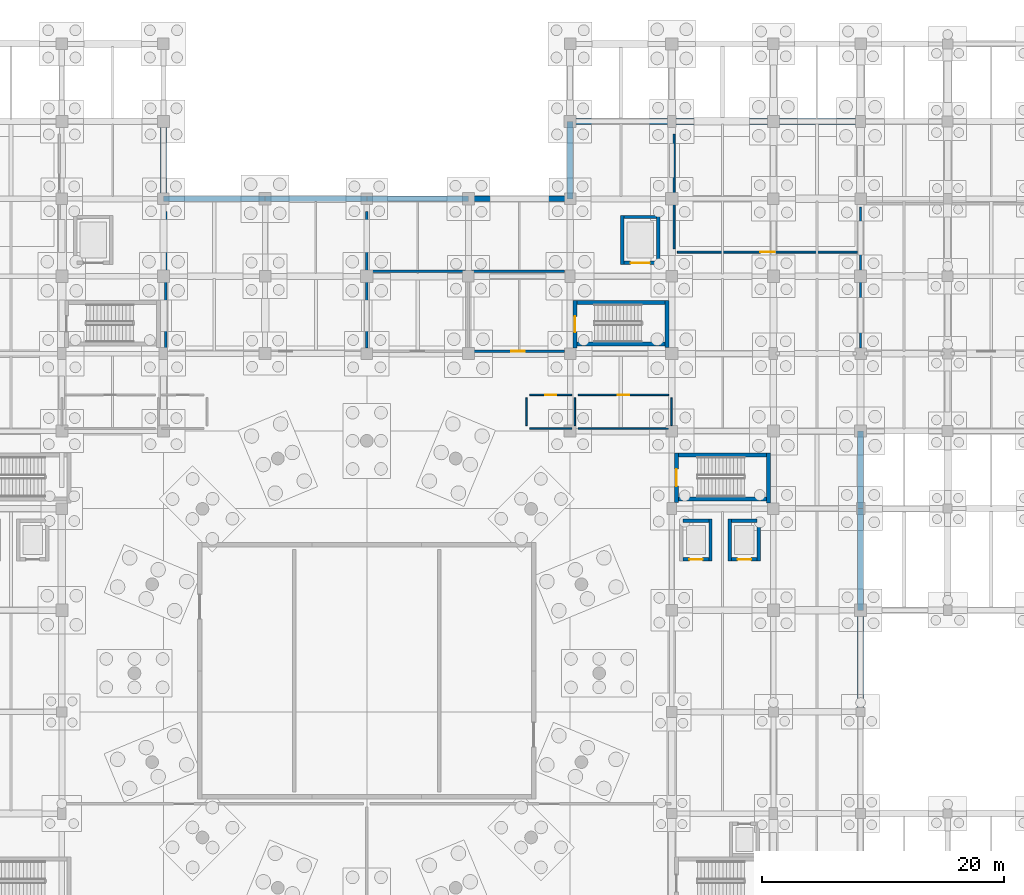
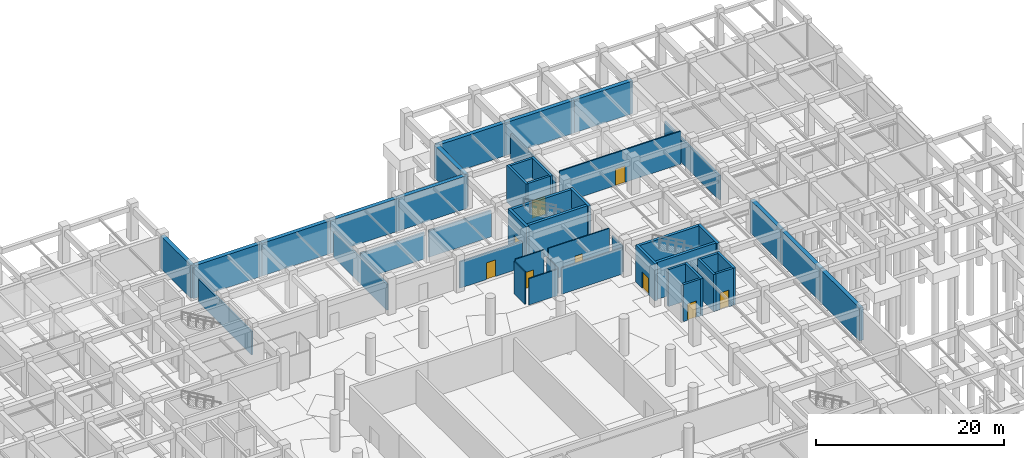
# One storey, part 34 of 44: 46 walls, 9 doors, 9 openings.
"""IFC4 building model written with IfcOpenShell, lengths in metres."""

from ifc_helpers import new_model, si_unit, direction, frame, frame_2d, origin, place, context, subcontext, project, spatial, rectangle, extrude, material, layer, layer_set, type_object, element, fill, save


model = new_model("IFC4")

# Units and contexts
model_context = context("Model", 3, precision=1e-05, world=origin(), true_north=direction((0.0, 1.0)))
body_context = subcontext(model_context, "Body", "Model", "MODEL_VIEW")
ifc_project = project(units=[si_unit("LENGTHUNIT", "METRE"), si_unit("AREAUNIT", "SQUARE_METRE"), si_unit("VOLUMEUNIT", "CUBIC_METRE"), si_unit("PLANEANGLEUNIT", "RADIAN"), si_unit("MASSUNIT", "GRAM", prefix="KILO")], contexts=[model_context])

# Site, building, storey
site_placement = place(None, origin())
site = spatial("IfcSite", under=ifc_project, at=site_placement, CompositionType="ELEMENT")
building_placement = place(site_placement, origin())
building = spatial("IfcBuilding", under=site, at=building_placement, Name="Korsvaeld Concert Hall", CompositionType="ELEMENT")
storey_placement = place(building_placement, frame((0.0, 0.0, -4.800048828125)))
storey = spatial("IfcBuildingStorey", under=building, at=storey_placement, Name="B1", CompositionType="ELEMENT", Elevation=-4.800048828125)

# Walls
ifc_material_1 = material(Name="Concrete C35/45", Category="concrete")
ifc_layer_1 = layer(ifc_material_1, 0.47998046875)
ifc_layer_set_1 = layer_set([ifc_layer_1], Name="Concrete C35/45")
wall_type_1 = type_object("IfcWallType", Name="WL-B1-RET-480", PredefinedType="SOLIDWALL", material=ifc_layer_set_1)
wall_1_placement = place(storey_placement, frame((67.199951171875, 108.800048828125, 0.0), z_axis=(0.0, 0.0, 1.0), x_axis=(0.0, -1.0, 0.0)))
element("IfcWall", 1, at=wall_1_placement, inside=storey, type_object=wall_type_1, Name="Exterior sandstone wall B1-029", PredefinedType="SOLIDWALL", context=body_context, shape_type="SweptSolid", body=[
    extrude(rectangle(XDim=6.400146484375, YDim=0.47998046875, at=frame_2d((3.2001953125, 0.0))), origin(), (0.0, 0.0, 1.0), 4.25),
])
wall_2_placement = place(storey_placement, frame((67.199951171875, 102.39990234375, 0.0), z_axis=(0.0, 0.0, 1.0), x_axis=(1.0, 0.0, 0.0)))
element("IfcWall", 2, at=wall_2_placement, inside=storey, type_object=wall_type_1, Name="Exterior sandstone wall B1-030", PredefinedType="SOLIDWALL", context=body_context, shape_type="SweptSolid", body=[
    extrude(rectangle(XDim=8.400146484375, YDim=0.47998046875, at=frame_2d((4.2001953125, 0.0))), origin(), (0.0, 0.0, 1.0), 4.25),
])
for number, where, z_axis, x_axis, name in (
    (3, (75.60009765625, 102.39990234375, 0.0), (0.0, 0.0, 1.0), (1.0, 0.0, 0.0), "Exterior sandstone wall B1-031"),
    (4, (84.0, 102.39990234375, 0.0), (0.0, 0.0, 1.0), (1.0, 0.0, 0.0), "Exterior sandstone wall B1-032"),
):
    element("IfcWall", number, at=place(storey_placement, frame(where, z_axis=z_axis, x_axis=x_axis)), inside=storey, type_object=wall_type_1, Name=name, PredefinedType="SOLIDWALL", context=body_context, shape_type="SweptSolid", body=[
        extrude(rectangle(XDim=8.39990234375, YDim=0.47998046875, at=frame_2d((4.199951171875, 0.0))), origin(), (0.0, 0.0, 1.0), 4.25),
    ])
wall_3_placement = place(storey_placement, frame((92.39990234375, 102.39990234375, 0.0), z_axis=(0.0, 0.0, 1.0), x_axis=(1.0, 0.0, 0.0)))
element("IfcWall", 5, at=wall_3_placement, inside=storey, type_object=wall_type_1, Name="Exterior sandstone wall B1-033", PredefinedType="SOLIDWALL", context=body_context, shape_type="SweptSolid", body=[
    extrude(rectangle(XDim=8.400146484375, YDim=0.47998046875, at=frame_2d((4.2001953125, 0.0))), origin(), (0.0, 0.0, 1.0), 4.25),
])
wall_4_placement = place(storey_placement, frame((100.800048828125, 102.39990234375, 0.0), z_axis=(0.0, 0.0, 1.0), x_axis=(0.0, 1.0, 0.0)))
element("IfcWall", 6, at=wall_4_placement, inside=storey, type_object=wall_type_1, Name="Exterior sandstone wall B1-034", PredefinedType="SOLIDWALL", context=body_context, shape_type="SweptSolid", body=[
    extrude(rectangle(XDim=6.400146484375, YDim=0.47998046875, at=frame_2d((3.2001953125, 0.0))), origin(), (0.0, 0.0, 1.0), 4.25),
])
wall_5_placement = place(storey_placement, frame((100.800048828125, 108.800048828125, 0.0), z_axis=(0.0, 0.0, 1.0), x_axis=(1.0, 0.0, 0.0)))
element("IfcWall", 7, at=wall_5_placement, inside=storey, type_object=wall_type_1, Name="Exterior sandstone wall B1-035", PredefinedType="SOLIDWALL", context=body_context, shape_type="SweptSolid", body=[
    extrude(rectangle(XDim=8.39990234375, YDim=0.47998046875, at=frame_2d((4.199951171875, 0.0))), origin(), (0.0, 0.0, 1.0), 4.25),
])
wall_6_placement = place(storey_placement, frame((109.199951171875, 108.800048828125, 0.0), z_axis=(0.0, 0.0, 1.0), x_axis=(1.0, 0.0, 0.0)))
element("IfcWall", 8, at=wall_6_placement, inside=storey, type_object=wall_type_1, Name="Exterior sandstone wall B1-036", PredefinedType="SOLIDWALL", context=body_context, shape_type="SweptSolid", body=[
    extrude(rectangle(XDim=8.400146484375, YDim=0.47998046875, at=frame_2d((4.2001953125, 0.0))), origin(), (0.0, 0.0, 1.0), 4.25),
])
wall_7_placement = place(storey_placement, frame((117.60009765625, 108.800048828125, 0.0), z_axis=(0.0, 0.0, 1.0), x_axis=(1.0, 0.0, 0.0)))
element("IfcWall", 9, at=wall_7_placement, inside=storey, type_object=wall_type_1, Name="Exterior sandstone wall B1-037", PredefinedType="SOLIDWALL", context=body_context, shape_type="SweptSolid", body=[
    extrude(rectangle(XDim=7.199951171875, YDim=0.47998046875, at=frame_2d((3.60009765625, 0.0))), origin(), (0.0, 0.0, 1.0), 4.25),
])
wall_8_placement = place(storey_placement, frame((124.800048828125, 83.199951171875, 0.0), z_axis=(0.0, 0.0, 1.0), x_axis=(0.0, -1.0, 0.0)))
element("IfcWall", 10, at=wall_8_placement, inside=storey, type_object=wall_type_1, Name="Exterior sandstone wall B1-048", PredefinedType="SOLIDWALL", context=body_context, shape_type="SweptSolid", body=[
    extrude(rectangle(XDim=6.39990234375, YDim=0.47998046875, at=frame_2d((3.199951171875, 0.0))), origin(), (0.0, 0.0, 1.0), 4.25),
])
wall_9_placement = place(storey_placement, frame((124.800048828125, 76.800048828125, 0.0), z_axis=(0.0, 0.0, 1.0), x_axis=(0.0, -1.0, 0.0)))
element("IfcWall", 11, at=wall_9_placement, inside=storey, type_object=wall_type_1, Name="Exterior sandstone wall B1-049", PredefinedType="SOLIDWALL", context=body_context, shape_type="SweptSolid", body=[
    extrude(rectangle(XDim=8.400146484375, YDim=0.47998046875, at=frame_2d((4.2001953125, 0.0))), origin(), (0.0, 0.0, 1.0), 4.25),
])
wall_10_placement = place(storey_placement, frame((124.800048828125, 68.39990234375, 0.0), z_axis=(0.0, 0.0, 1.0), x_axis=(0.0, -1.0, 0.0)))
element("IfcWall", 12, at=wall_10_placement, inside=storey, type_object=wall_type_1, Name="Exterior sandstone wall B1-050", PredefinedType="SOLIDWALL", context=body_context, shape_type="SweptSolid", body=[
    extrude(rectangle(XDim=8.39990234375, YDim=0.47998046875, at=frame_2d((4.199951171875, 0.0))), origin(), (0.0, 0.0, 1.0), 4.25),
])
ifc_material_2 = material(Name="Concrete C40/50", Category="concrete")
ifc_layer_2 = layer(ifc_material_2, 0.340087890625)
ifc_layer_set_2 = layer_set([ifc_layer_2], Name="Concrete C40/50")
wall_type_2 = type_object("IfcWallType", Name="WL-CORE-340", PredefinedType="SHEAR", material=ifc_layer_set_2)
wall_11_placement = place(storey_placement, frame((109.77001953125, 77.60009765625, 0.0), z_axis=(0.0, 0.0, 1.0), x_axis=(1.0, 0.0, 0.0)))
element("IfcWall", 13, at=wall_11_placement, inside=storey, type_object=wall_type_2, Name="Core K2 shear wall B1 S", PredefinedType="SHEAR", context=body_context, shape_type="SweptSolid", body=[
    extrude(rectangle(XDim=7.260009765625, YDim=0.340087890625, at=frame_2d((3.6298828125, 0.0))), origin(), (0.0, 0.0, 1.0), 4.800048828125),
])
wall_12_placement = place(storey_placement, frame((117.199951171875, 77.27490234375, 0.0), z_axis=(0.0, 0.0, 1.0), x_axis=(0.0, 1.0, 0.0)))
element("IfcWall", 14, at=wall_12_placement, inside=storey, type_object=wall_type_2, Name="Core K2 shear wall B1 E", PredefinedType="SHEAR", context=body_context, shape_type="SweptSolid", body=[
    extrude(rectangle(XDim=4.135009765625, YDim=0.340087890625, at=frame_2d((2.0673828125, 0.0))), origin(), (0.0, 0.0, 1.0), 4.800048828125),
])
wall_13_placement = place(storey_placement, frame((117.030029296875, 81.239990234375, 0.0), z_axis=(0.0, 0.0, 1.0), x_axis=(-1.0, 0.0, 0.0)))
element("IfcWall", 15, at=wall_13_placement, inside=storey, type_object=wall_type_2, Name="Core K2 shear wall B1 N", PredefinedType="SHEAR", context=body_context, shape_type="SweptSolid", body=[
    extrude(rectangle(XDim=7.260009765625, YDim=0.340087890625, at=frame_2d((3.6298828125, 0.0))), origin(), (0.0, 0.0, 1.0), 4.800048828125),
])

# Wall, opening, door
wall_14_placement = place(storey_placement, frame((109.60009765625, 81.409912109375, 0.0), z_axis=(0.0, 0.0, 1.0), x_axis=(0.0, -1.0, 0.0)))
wall_14 = element("IfcWall", 16, at=wall_14_placement, inside=storey, type_object=wall_type_2, Name="Core K2 shear wall B1 W", PredefinedType="SHEAR", context=body_context, shape_type="SweptSolid", body=[
    extrude(rectangle(XDim=4.10986328125, YDim=0.340087890625, at=frame_2d((2.054931640625, 0.0))), origin(), (0.0, 0.0, 1.0), 4.800048828125),
])
opening_1_placement = place(wall_14_placement, frame((1.35498046875, 0.0, 0.0)))
opening_1 = element("IfcOpeningElement", 17, at=opening_1_placement, cuts=wall_14, Name="Opening FD-02", PredefinedType="OPENING", context=body_context, shape_type="SweptSolid", body=[
    extrude(rectangle(XDim=1.39990234375, YDim=2.14990234375, at=frame_2d((0.699951171875, 1.074951171875))), frame((0.0, 0.18017578125, 0.0), z_axis=(0.0, -1.0, 0.0), x_axis=(1.0, 0.0, 0.0)), (0.0, 0.0, 1.0), 0.360107421875),
])
ifc_material_3 = material(Name="Acoustic steel and oak fire door", Category="steel")
door_type_1 = type_object("IfcDoorType", Name="DR-FD-STAIR-140x215", OperationType="NOTDEFINED", PredefinedType="DOOR", material=ifc_material_3)
door_1_placement = place(opening_1_placement, origin())
door_1 = element("IfcDoor", 18, at=door_1_placement, inside=storey, type_object=door_type_1, Name="Escape stair ST-K2 fire door B1", OperationType="SINGLE_SWING_LEFT", OverallHeight=2.14990234375, OverallWidth=1.39990234375, PredefinedType="DOOR", context=body_context, shape_type="SweptSolid", body=[
    extrude(rectangle(XDim=1.39990234375, YDim=2.14990234375, at=frame_2d((0.699951171875, 1.074951171875))), frame((0.0, 0.02490234375, 0.0), z_axis=(0.0, -1.0, 0.0), x_axis=(1.0, 0.0, 0.0)), (0.0, 0.0, 1.0), 0.050048828125),
])
fill(opening_1, door_1)

# Walls
wall_15_placement = place(storey_placement, frame((101.3701171875, 90.39990234375, 0.0), z_axis=(0.0, 0.0, 1.0), x_axis=(1.0, 0.0, 0.0)))
element("IfcWall", 19, at=wall_15_placement, inside=storey, type_object=wall_type_2, Name="Core K6 shear wall B1 S", PredefinedType="SHEAR", context=body_context, shape_type="SweptSolid", body=[
    extrude(rectangle(XDim=7.259765625, YDim=0.340087890625, at=frame_2d((3.6298828125, 0.0))), origin(), (0.0, 0.0, 1.0), 4.800048828125),
])
wall_16_placement = place(storey_placement, frame((108.800048828125, 90.10009765625, 0.0), z_axis=(0.0, 0.0, 1.0), x_axis=(0.0, 1.0, 0.0)))
element("IfcWall", 20, at=wall_16_placement, inside=storey, type_object=wall_type_2, Name="Core K6 shear wall B1 E", PredefinedType="SHEAR", context=body_context, shape_type="SweptSolid", body=[
    extrude(rectangle(XDim=3.909912109375, YDim=0.340087890625, at=frame_2d((1.955078125, 0.0))), origin(), (0.0, 0.0, 1.0), 4.800048828125),
])
wall_17_placement = place(storey_placement, frame((108.6298828125, 93.840087890625, 0.0), z_axis=(0.0, 0.0, 1.0), x_axis=(-1.0, 0.0, 0.0)))
element("IfcWall", 21, at=wall_17_placement, inside=storey, type_object=wall_type_2, Name="Core K6 shear wall B1 N", PredefinedType="SHEAR", context=body_context, shape_type="SweptSolid", body=[
    extrude(rectangle(XDim=7.259765625, YDim=0.340087890625, at=frame_2d((3.6298828125, 0.0))), origin(), (0.0, 0.0, 1.0), 4.800048828125),
])

# Wall, opening, door
wall_18_placement = place(storey_placement, frame((101.199951171875, 94.010009765625, 0.0), z_axis=(0.0, 0.0, 1.0), x_axis=(0.0, -1.0, 0.0)))
wall_18 = element("IfcWall", 22, at=wall_18_placement, inside=storey, type_object=wall_type_2, Name="Core K6 shear wall B1 W", PredefinedType="SHEAR", context=body_context, shape_type="SweptSolid", body=[
    extrude(rectangle(XDim=3.93505859375, YDim=0.340087890625, at=frame_2d((1.967529296875, 0.0))), origin(), (0.0, 0.0, 1.0), 4.800048828125),
])
opening_2_placement = place(wall_18_placement, frame((1.3173828125, 0.0, 0.0)))
opening_2 = element("IfcOpeningElement", 23, at=opening_2_placement, cuts=wall_18, Name="Opening FD-01", PredefinedType="OPENING", context=body_context, shape_type="SweptSolid", body=[
    extrude(rectangle(XDim=1.300048828125, YDim=2.14990234375, at=frame_2d((0.64990234375, 1.074951171875))), frame((0.0, 0.18017578125, 0.0), z_axis=(0.0, -1.0, 0.0), x_axis=(1.0, 0.0, 0.0)), (0.0, 0.0, 1.0), 0.360107421875),
])
door_type_2 = type_object("IfcDoorType", Name="DR-FD-STAIR-130x215", OperationType="NOTDEFINED", PredefinedType="DOOR", material=ifc_material_3)
door_2_placement = place(opening_2_placement, origin())
door_2 = element("IfcDoor", 24, at=door_2_placement, inside=storey, type_object=door_type_2, Name="Escape stair ST-K6 fire door B1", OperationType="SINGLE_SWING_LEFT", OverallHeight=2.14990234375, OverallWidth=1.300048828125, PredefinedType="DOOR", context=body_context, shape_type="SweptSolid", body=[
    extrude(rectangle(XDim=1.300048828125, YDim=2.14990234375, at=frame_2d((0.64990234375, 1.074951171875))), frame((0.0, 0.02490234375, 0.0), z_axis=(0.0, -1.0, 0.0), x_axis=(1.0, 0.0, 0.0)), (0.0, 0.0, 1.0), 0.050048828125),
])
fill(opening_2, door_2)

# Walls
ifc_material_4 = material(Name="Double acoustic gypsum fire compartment wall")
ifc_layer_3 = layer(ifc_material_4, 0.199951171875)
ifc_layer_set_3 = layer_set([ifc_layer_3], Name="Double acoustic gypsum fire compartment wall")
wall_type_3 = type_object("IfcWallType", Name="WL-FIRE-200", PredefinedType="PARTITIONING", material=ifc_layer_set_3)
wall_19_placement = place(storey_placement, frame((124.800048828125, 101.739990234375, 0.0), z_axis=(0.0, 0.0, 1.0), x_axis=(0.0, -1.0, 0.0)))
element("IfcWall", 25, at=wall_19_placement, inside=storey, type_object=wall_type_3, Name="Interior partition B1-02 W", PredefinedType="PARTITIONING", context=body_context, shape_type="SweptSolid", body=[
    extrude(rectangle(XDim=11.679931640625, YDim=0.199951171875, at=frame_2d((5.83984375, 0.0))), origin(), (0.0, 0.0, 1.0), 3.175048828125),
])
wall_20_placement = place(storey_placement, frame((84.0, 90.06005859375, 0.0), z_axis=(0.0, 0.0, 1.0), x_axis=(0.0, 1.0, 0.0)))
element("IfcWall", 26, at=wall_20_placement, inside=storey, type_object=wall_type_3, Name="Interior partition B1-08 E", PredefinedType="PARTITIONING", context=body_context, shape_type="SweptSolid", body=[
    extrude(rectangle(XDim=11.280029296875, YDim=0.199951171875, at=frame_2d((5.64013671875, 0.0))), origin(), (0.0, 0.0, 1.0), 3.375),
])
wall_21_placement = place(storey_placement, frame((67.39990234375, 101.340087890625, 0.0), z_axis=(0.0, 0.0, 1.0), x_axis=(0.0, -1.0, 0.0)))
element("IfcWall", 27, at=wall_21_placement, inside=storey, type_object=wall_type_3, Name="Interior partition B1-08 W", PredefinedType="PARTITIONING", context=body_context, shape_type="SweptSolid", body=[
    extrude(rectangle(XDim=11.280029296875, YDim=0.199951171875, at=frame_2d((5.64013671875, 0.0))), origin(), (0.0, 0.0, 1.0), 3.025146484375),
])
wall_22_placement = place(storey_placement, frame((92.139892578125, 96.39990234375, 0.0), z_axis=(0.0, 0.0, 1.0), x_axis=(-1.0, 0.0, 0.0)))
element("IfcWall", 28, at=wall_22_placement, inside=storey, type_object=wall_type_3, Name="Interior partition B1-09 N", PredefinedType="PARTITIONING", context=body_context, shape_type="SweptSolid", body=[
    extrude(rectangle(XDim=7.8798828125, YDim=0.199951171875, at=frame_2d((3.93994140625, 0.0))), origin(), (0.0, 0.0, 1.0), 3.425048828125),
])

# Wall, opening, door
wall_23_placement = place(storey_placement, frame((92.659912109375, 89.800048828125, 0.0), z_axis=(0.0, 0.0, 1.0), x_axis=(1.0, 0.0, 0.0)))
wall_23 = element("IfcWall", 29, at=wall_23_placement, inside=storey, type_object=wall_type_3, Name="Interior partition B1-10 S", PredefinedType="PARTITIONING", context=body_context, shape_type="SweptSolid", body=[
    extrude(rectangle(XDim=7.68017578125, YDim=0.199951171875, at=frame_2d((3.840087890625, 0.0))), origin(), (0.0, 0.0, 1.0), 3.425048828125),
])
opening_3_placement = place(wall_23_placement, frame((3.2900390625, 0.0, 0.0)))
opening_3 = element("IfcOpeningElement", 30, at=opening_3_placement, cuts=wall_23, Name="Opening FD-05", PredefinedType="OPENING", context=body_context, shape_type="SweptSolid", body=[
    extrude(rectangle(XDim=1.10009765625, YDim=2.14990234375, at=frame_2d((0.550048828125, 1.074951171875))), frame((0.0, 0.10986328125, 0.0), z_axis=(0.0, -1.0, 0.0), x_axis=(1.0, 0.0, 0.0)), (0.0, 0.0, 1.0), 0.219970703125),
])
ifc_material_5 = material(Name="Oak fire-compartment door")
door_type_3 = type_object("IfcDoorType", Name="DR-FD-COMP-110x215", OperationType="NOTDEFINED", PredefinedType="DOOR", material=ifc_material_5)
door_3_placement = place(opening_3_placement, origin())
door_3 = element("IfcDoor", 31, at=door_3_placement, inside=storey, type_object=door_type_3, Name="Recording Isolation Booths door B1-10", OperationType="SINGLE_SWING_LEFT", OverallHeight=2.14990234375, OverallWidth=1.10009765625, PredefinedType="DOOR", context=body_context, shape_type="SweptSolid", body=[
    extrude(rectangle(XDim=1.10009765625, YDim=2.14990234375, at=frame_2d((0.550048828125, 1.074951171875))), frame((0.0, 0.02490234375, 0.0), z_axis=(0.0, -1.0, 0.0), x_axis=(1.0, 0.0, 0.0)), (0.0, 0.0, 1.0), 0.050048828125),
])
fill(opening_3, door_3)

# Walls
wall_24_placement = place(storey_placement, frame((100.340087890625, 96.39990234375, 0.0), z_axis=(0.0, 0.0, 1.0), x_axis=(-1.0, 0.0, 0.0)))
element("IfcWall", 32, at=wall_24_placement, inside=storey, type_object=wall_type_3, Name="Interior partition B1-10 N", PredefinedType="PARTITIONING", context=body_context, shape_type="SweptSolid", body=[
    extrude(rectangle(XDim=7.68017578125, YDim=0.199951171875, at=frame_2d((3.840087890625, 0.0))), origin(), (0.0, 0.0, 1.0), 3.425048828125),
])
ifc_material_6 = material(Name="Insulated acoustic gypsum partition")
ifc_layer_4 = layer(ifc_material_6, 0.125)
ifc_layer_set_4 = layer_set([ifc_layer_4], Name="Insulated acoustic gypsum partition")
wall_type_4 = type_object("IfcWallType", Name="WL-PART-125", PredefinedType="PARTITIONING", material=ifc_layer_set_4)
wall_25_placement = place(storey_placement, frame((101.4599609375, 83.39990234375, 0.0), z_axis=(0.0, 0.0, 1.0), x_axis=(1.0, 0.0, 0.0)))
element("IfcWall", 33, at=wall_25_placement, inside=storey, type_object=wall_type_4, Name="Interior partition B1-22 S", PredefinedType="PARTITIONING", context=body_context, shape_type="SweptSolid", body=[
    extrude(rectangle(XDim=7.47998046875, YDim=0.125, at=frame_2d((3.739990234375, 0.0))), origin(), (0.0, 0.0, 1.0), 3.425048828125),
])
wall_26_placement = place(storey_placement, frame((109.199951171875, 83.659912109375, 0.0), z_axis=(0.0, 0.0, 1.0), x_axis=(0.0, 1.0, 0.0)))
element("IfcWall", 34, at=wall_26_placement, inside=storey, type_object=wall_type_4, Name="Interior partition B1-22 E", PredefinedType="PARTITIONING", context=body_context, shape_type="SweptSolid", body=[
    extrude(rectangle(XDim=2.280029296875, YDim=0.125, at=frame_2d((1.14013671875, 0.0))), origin(), (0.0, 0.0, 1.0), 3.375),
])

# Wall, opening, door
wall_27_placement = place(storey_placement, frame((108.93994140625, 86.199951171875, 0.0), z_axis=(0.0, 0.0, 1.0), x_axis=(-1.0, 0.0, 0.0)))
wall_27 = element("IfcWall", 35, at=wall_27_placement, inside=storey, type_object=wall_type_4, Name="Interior partition B1-22 N", PredefinedType="PARTITIONING", context=body_context, shape_type="SweptSolid", body=[
    extrude(rectangle(XDim=7.47998046875, YDim=0.125, at=frame_2d((3.739990234375, 0.0))), origin(), (0.0, 0.0, 1.0), 4.25),
])
opening_4_placement = place(wall_27_placement, frame((3.27001953125, 0.0, 0.0)))
opening_4 = element("IfcOpeningElement", 36, at=opening_4_placement, cuts=wall_27, Name="Opening ID-05", PredefinedType="OPENING", context=body_context, shape_type="SweptSolid", body=[
    extrude(rectangle(XDim=0.93994140625, YDim=2.10009765625, at=frame_2d((0.469970703125, 1.050048828125))), frame((0.0, 0.072509765625, 0.0), z_axis=(0.0, -1.0, 0.0), x_axis=(1.0, 0.0, 0.0)), (0.0, 0.0, 1.0), 0.14501953125),
])
ifc_material_7 = material(Name="Accessible washroom oak door")
door_type_4 = type_object("IfcDoorType", Name="DR-INT-WC-094x210", OperationType="NOTDEFINED", PredefinedType="DOOR", material=ifc_material_7)
door_4_placement = place(opening_4_placement, origin())
door_4 = element("IfcDoor", 37, at=door_4_placement, inside=storey, type_object=door_type_4, Name="Staff WC B1 East door B1-22", OperationType="SINGLE_SWING_LEFT", OverallHeight=2.10009765625, OverallWidth=0.93994140625, PredefinedType="DOOR", context=body_context, shape_type="SweptSolid", body=[
    extrude(rectangle(XDim=0.93994140625, YDim=2.10009765625, at=frame_2d((0.469970703125, 1.050048828125))), frame((0.0, 0.02490234375, 0.0), z_axis=(0.0, -1.0, 0.0), x_axis=(1.0, 0.0, 0.0)), (0.0, 0.0, 1.0), 0.050048828125),
])
fill(opening_4, door_4)

# Walls
wall_28_placement = place(storey_placement, frame((101.199951171875, 85.93994140625, 0.0), z_axis=(0.0, 0.0, 1.0), x_axis=(0.0, -1.0, 0.0)))
element("IfcWall", 38, at=wall_28_placement, inside=storey, type_object=wall_type_4, Name="Interior partition B1-22 W", PredefinedType="PARTITIONING", context=body_context, shape_type="SweptSolid", body=[
    extrude(rectangle(XDim=2.280029296875, YDim=0.125, at=frame_2d((1.14013671875, 0.0))), origin(), (0.0, 0.0, 1.0), 3.375),
])
wall_29_placement = place(storey_placement, frame((97.4599609375, 83.39990234375, 0.0), z_axis=(0.0, 0.0, 1.0), x_axis=(1.0, 0.0, 0.0)))
element("IfcWall", 39, at=wall_29_placement, inside=storey, type_object=wall_type_4, Name="Interior partition B1-23 S", PredefinedType="PARTITIONING", context=body_context, shape_type="SweptSolid", body=[
    extrude(rectangle(XDim=3.47998046875, YDim=0.125, at=frame_2d((1.739990234375, 0.0))), origin(), (0.0, 0.0, 1.0), 3.425048828125),
])

# Wall, opening, door
wall_30_placement = place(storey_placement, frame((100.93994140625, 86.199951171875, 0.0), z_axis=(0.0, 0.0, 1.0), x_axis=(-1.0, 0.0, 0.0)))
wall_30 = element("IfcWall", 40, at=wall_30_placement, inside=storey, type_object=wall_type_4, Name="Interior partition B1-23 N", PredefinedType="PARTITIONING", context=body_context, shape_type="SweptSolid", body=[
    extrude(rectangle(XDim=3.47998046875, YDim=0.125, at=frame_2d((1.739990234375, 0.0))), origin(), (0.0, 0.0, 1.0), 4.25),
])
opening_5_placement = place(wall_30_placement, frame((1.27001953125, 0.0, 0.0)))
opening_5 = element("IfcOpeningElement", 41, at=opening_5_placement, cuts=wall_30, Name="Opening ID-05", PredefinedType="OPENING", context=body_context, shape_type="SweptSolid", body=[
    extrude(rectangle(XDim=0.93994140625, YDim=2.10009765625, at=frame_2d((0.469970703125, 1.050048828125))), frame((0.0, 0.072509765625, 0.0), z_axis=(0.0, -1.0, 0.0), x_axis=(1.0, 0.0, 0.0)), (0.0, 0.0, 1.0), 0.14501953125),
])
door_5_placement = place(opening_5_placement, origin())
door_5 = element("IfcDoor", 42, at=door_5_placement, inside=storey, type_object=door_type_4, Name="Accessible WC B1 East door B1-23", OperationType="SINGLE_SWING_RIGHT", OverallHeight=2.10009765625, OverallWidth=0.93994140625, PredefinedType="DOOR", context=body_context, shape_type="SweptSolid", body=[
    extrude(rectangle(XDim=0.93994140625, YDim=2.10009765625, at=frame_2d((0.469970703125, 1.050048828125))), frame((0.0, 0.02490234375, 0.0), z_axis=(0.0, -1.0, 0.0), x_axis=(1.0, 0.0, 0.0)), (0.0, 0.0, 1.0), 0.050048828125),
])
fill(opening_5, door_5)

# Wall
wall_31_placement = place(storey_placement, frame((97.199951171875, 85.93994140625, 0.0), z_axis=(0.0, 0.0, 1.0), x_axis=(0.0, -1.0, 0.0)))
element("IfcWall", 43, at=wall_31_placement, inside=storey, type_object=wall_type_4, Name="Interior partition B1-23 W", PredefinedType="PARTITIONING", context=body_context, shape_type="SweptSolid", body=[
    extrude(rectangle(XDim=2.280029296875, YDim=0.125, at=frame_2d((1.14013671875, 0.0))), origin(), (0.0, 0.0, 1.0), 4.25),
])

# Wall, opening, door
ifc_material_8 = material(Name="Double-stud acoustic rehearsal partition")
ifc_layer_5 = layer(ifc_material_8, 0.159912109375)
ifc_layer_set_5 = layer_set([ifc_layer_5], Name="Double-stud acoustic rehearsal partition")
wall_type_5 = type_object("IfcWallType", Name="WL-PART-160", PredefinedType="PARTITIONING", material=ifc_layer_set_5)
wall_32_placement = place(storey_placement, frame((109.659912109375, 98.0, 0.0), z_axis=(0.0, 0.0, 1.0), x_axis=(1.0, 0.0, 0.0)))
wall_32 = element("IfcWall", 44, at=wall_32_placement, inside=storey, type_object=wall_type_5, Name="Interior partition B1-13 S", PredefinedType="PARTITIONING", context=body_context, shape_type="SweptSolid", body=[
    extrude(rectangle(XDim=14.880126953125, YDim=0.159912109375, at=frame_2d((7.43994140625, 0.0))), origin(), (0.0, 0.0, 1.0), 4.25),
])
opening_6_placement = place(wall_32_placement, frame((6.840087890625, 0.0, 0.0)))
opening_6 = element("IfcOpeningElement", 45, at=opening_6_placement, cuts=wall_32, Name="Opening ID-01", PredefinedType="OPENING", context=body_context, shape_type="SweptSolid", body=[
    extrude(rectangle(XDim=1.199951171875, YDim=2.14990234375, at=frame_2d((0.60009765625, 1.074951171875))), frame((0.0, 0.08984375, 0.0), z_axis=(0.0, -1.0, 0.0), x_axis=(1.0, 0.0, 0.0)), (0.0, 0.0, 1.0), 0.179931640625),
])
ifc_material_9 = material(Name="Solid European oak acoustic studio door")
door_type_5 = type_object("IfcDoorType", Name="DR-INT-REH-120x215", OperationType="NOTDEFINED", PredefinedType="DOOR", material=ifc_material_9)
door_6_placement = place(opening_6_placement, origin())
door_6 = element("IfcDoor", 46, at=door_6_placement, inside=storey, type_object=door_type_5, Name="Double-Bass Rehearsal Room B1-C door B1-13", OperationType="SINGLE_SWING_RIGHT", OverallHeight=2.14990234375, OverallWidth=1.199951171875, PredefinedType="DOOR", context=body_context, shape_type="SweptSolid", body=[
    extrude(rectangle(XDim=1.199951171875, YDim=2.14990234375, at=frame_2d((0.60009765625, 1.074951171875))), frame((0.0, 0.02490234375, 0.0), z_axis=(0.0, -1.0, 0.0), x_axis=(1.0, 0.0, 0.0)), (0.0, 0.0, 1.0), 0.050048828125),
])
fill(opening_6, door_6)

# Wall
wall_33_placement = place(storey_placement, frame((109.39990234375, 107.739990234375, 0.0), z_axis=(0.0, 0.0, 1.0), x_axis=(0.0, -1.0, 0.0)))
element("IfcWall", 47, at=wall_33_placement, inside=storey, type_object=wall_type_5, Name="Interior partition B1-13 W", PredefinedType="PARTITIONING", context=body_context, shape_type="SweptSolid", body=[
    extrude(rectangle(XDim=9.47998046875, YDim=0.159912109375, at=frame_2d((4.739990234375, 0.0))), origin(), (0.0, 0.0, 1.0), 3.275146484375),
])

# Wall, opening, door
ifc_layer_6 = layer(ifc_material_2, 0.280029296875)
ifc_layer_set_6 = layer_set([ifc_layer_6], Name="Concrete C40/50")
wall_type_6 = type_object("IfcWallType", Name="WL-SHAFT-280", PredefinedType="SHEAR", material=ifc_layer_set_6)
wall_34_placement = place(storey_placement, frame((110.139892578125, 72.60009765625, 0.0), z_axis=(0.0, 0.0, 1.0), x_axis=(1.0, 0.0, 0.0)))
wall_34 = element("IfcWall", 48, at=wall_34_placement, inside=storey, type_object=wall_type_6, Name="Lift LP-03 shaft wall B1 S", PredefinedType="SHEAR", context=body_context, shape_type="SweptSolid", body=[
    extrude(rectangle(XDim=2.1201171875, YDim=0.280029296875, at=frame_2d((1.06005859375, 0.0))), origin(), (0.0, 0.0, 1.0), 4.800048828125),
])
opening_7_placement = place(wall_34_placement, frame((0.510009765625, 0.0, 0.0)))
opening_7 = element("IfcOpeningElement", 49, at=opening_7_placement, cuts=wall_34, Name="Opening LD-01", PredefinedType="OPENING", context=body_context, shape_type="SweptSolid", body=[
    extrude(rectangle(XDim=1.10009765625, YDim=2.14990234375, at=frame_2d((0.550048828125, 1.074951171875))), frame((0.0, 0.14990234375, 0.0), z_axis=(0.0, -1.0, 0.0), x_axis=(1.0, 0.0, 0.0)), (0.0, 0.0, 1.0), 0.300048828125),
])
ifc_material_10 = material(Name="Brushed bronze-stainless sliding lift landing door")
door_type_6 = type_object("IfcDoorType", Name="DR-LD-PASS-110x215", OperationType="NOTDEFINED", PredefinedType="DOOR", material=ifc_material_10)
door_7_placement = place(opening_7_placement, origin())
door_7 = element("IfcDoor", 50, at=door_7_placement, inside=storey, type_object=door_type_6, Name="Lift landing door LP-03 B1", OperationType="SLIDING_TO_LEFT", OverallHeight=2.14990234375, OverallWidth=1.10009765625, PredefinedType="DOOR", context=body_context, shape_type="SweptSolid", body=[
    extrude(rectangle(XDim=1.10009765625, YDim=2.14990234375, at=frame_2d((0.550048828125, 1.074951171875))), frame((0.0, 0.02490234375, 0.0), z_axis=(0.0, -1.0, 0.0), x_axis=(1.0, 0.0, 0.0)), (0.0, 0.0, 1.0), 0.050048828125),
])
fill(opening_7, door_7)

# Walls
wall_35_placement = place(storey_placement, frame((112.39990234375, 72.4599609375, 0.0), z_axis=(0.0, 0.0, 1.0), x_axis=(0.0, 1.0, 0.0)))
element("IfcWall", 51, at=wall_35_placement, inside=storey, type_object=wall_type_6, Name="Lift LP-03 shaft wall B1 E", PredefinedType="SHEAR", context=body_context, shape_type="SweptSolid", body=[
    extrude(rectangle(XDim=3.47998046875, YDim=0.280029296875, at=frame_2d((1.739990234375, 0.0))), origin(), (0.0, 0.0, 1.0), 4.800048828125),
])
wall_36_placement = place(storey_placement, frame((112.260009765625, 75.800048828125, 0.0), z_axis=(0.0, 0.0, 1.0), x_axis=(-1.0, 0.0, 0.0)))
element("IfcWall", 52, at=wall_36_placement, inside=storey, type_object=wall_type_6, Name="Lift LP-03 shaft wall B1 N", PredefinedType="SHEAR", context=body_context, shape_type="SweptSolid", body=[
    extrude(rectangle(XDim=2.1201171875, YDim=0.280029296875, at=frame_2d((1.06005859375, 0.0))), origin(), (0.0, 0.0, 1.0), 4.800048828125),
])

# Wall, opening, door
wall_37_placement = place(storey_placement, frame((114.139892578125, 72.60009765625, 0.0), z_axis=(0.0, 0.0, 1.0), x_axis=(1.0, 0.0, 0.0)))
wall_37 = element("IfcWall", 53, at=wall_37_placement, inside=storey, type_object=wall_type_6, Name="Lift LP-04 shaft wall B1 S", PredefinedType="SHEAR", context=body_context, shape_type="SweptSolid", body=[
    extrude(rectangle(XDim=2.1201171875, YDim=0.280029296875, at=frame_2d((1.06005859375, 0.0))), origin(), (0.0, 0.0, 1.0), 4.800048828125),
])
opening_8_placement = place(wall_37_placement, frame((0.510009765625, 0.0, 0.0)))
opening_8 = element("IfcOpeningElement", 54, at=opening_8_placement, cuts=wall_37, Name="Opening LD-01", PredefinedType="OPENING", context=body_context, shape_type="SweptSolid", body=[
    extrude(rectangle(XDim=1.10009765625, YDim=2.14990234375, at=frame_2d((0.550048828125, 1.074951171875))), frame((0.0, 0.14990234375, 0.0), z_axis=(0.0, -1.0, 0.0), x_axis=(1.0, 0.0, 0.0)), (0.0, 0.0, 1.0), 0.300048828125),
])
door_8_placement = place(opening_8_placement, origin())
door_8 = element("IfcDoor", 55, at=door_8_placement, inside=storey, type_object=door_type_6, Name="Lift landing door LP-04 B1", OperationType="SLIDING_TO_RIGHT", OverallHeight=2.14990234375, OverallWidth=1.10009765625, PredefinedType="DOOR", context=body_context, shape_type="SweptSolid", body=[
    extrude(rectangle(XDim=1.10009765625, YDim=2.14990234375, at=frame_2d((0.550048828125, 1.074951171875))), frame((0.0, 0.02490234375, 0.0), z_axis=(0.0, -1.0, 0.0), x_axis=(1.0, 0.0, 0.0)), (0.0, 0.0, 1.0), 0.050048828125),
])
fill(opening_8, door_8)

# Walls
wall_38_placement = place(storey_placement, frame((116.39990234375, 72.4599609375, 0.0), z_axis=(0.0, 0.0, 1.0), x_axis=(0.0, 1.0, 0.0)))
element("IfcWall", 56, at=wall_38_placement, inside=storey, type_object=wall_type_6, Name="Lift LP-04 shaft wall B1 E", PredefinedType="SHEAR", context=body_context, shape_type="SweptSolid", body=[
    extrude(rectangle(XDim=3.47998046875, YDim=0.280029296875, at=frame_2d((1.739990234375, 0.0))), origin(), (0.0, 0.0, 1.0), 4.800048828125),
])
wall_39_placement = place(storey_placement, frame((116.260009765625, 75.800048828125, 0.0), z_axis=(0.0, 0.0, 1.0), x_axis=(-1.0, 0.0, 0.0)))
element("IfcWall", 57, at=wall_39_placement, inside=storey, type_object=wall_type_6, Name="Lift LP-04 shaft wall B1 N", PredefinedType="SHEAR", context=body_context, shape_type="SweptSolid", body=[
    extrude(rectangle(XDim=2.1201171875, YDim=0.280029296875, at=frame_2d((1.06005859375, 0.0))), origin(), (0.0, 0.0, 1.0), 4.800048828125),
])
wall_40_placement = place(storey_placement, frame((114.0, 75.93994140625, 0.0), z_axis=(0.0, 0.0, 1.0), x_axis=(0.0, -1.0, 0.0)))
element("IfcWall", 58, at=wall_40_placement, inside=storey, type_object=wall_type_6, Name="Lift LP-04 shaft wall B1 W", PredefinedType="SHEAR", context=body_context, shape_type="SweptSolid", body=[
    extrude(rectangle(XDim=3.47998046875, YDim=0.280029296875, at=frame_2d((1.739990234375, 0.0))), origin(), (0.0, 0.0, 1.0), 4.800048828125),
])

# Wall, opening, door
wall_41_placement = place(storey_placement, frame((105.239990234375, 97.10009765625, 0.0), z_axis=(0.0, 0.0, 1.0), x_axis=(1.0, 0.0, 0.0)))
wall_41 = element("IfcWall", 59, at=wall_41_placement, inside=storey, type_object=wall_type_6, Name="Lift LG-02 shaft wall B1 S", PredefinedType="SHEAR", context=body_context, shape_type="SweptSolid", body=[
    extrude(rectangle(XDim=2.719970703125, YDim=0.280029296875, at=frame_2d((1.35986328125, 0.0))), origin(), (0.0, 0.0, 1.0), 4.800048828125),
])
opening_9_placement = place(wall_41_placement, frame((0.56005859375, 0.0, 0.0)))
opening_9 = element("IfcOpeningElement", 60, at=opening_9_placement, cuts=wall_41, Name="Opening LD-03", PredefinedType="OPENING", context=body_context, shape_type="SweptSolid", body=[
    extrude(rectangle(XDim=1.60009765625, YDim=2.300048828125, at=frame_2d((0.800048828125, 1.14990234375))), frame((0.0, 0.14990234375, 0.0), z_axis=(0.0, -1.0, 0.0), x_axis=(1.0, 0.0, 0.0)), (0.0, 0.0, 1.0), 0.300048828125),
])
ifc_material_11 = material(Name="Heavy-duty stainless sliding goods lift landing door")
door_type_7 = type_object("IfcDoorType", Name="DR-LD-GOODS-160x230", OperationType="NOTDEFINED", PredefinedType="DOOR", material=ifc_material_11)
door_9_placement = place(opening_9_placement, origin())
door_9 = element("IfcDoor", 61, at=door_9_placement, inside=storey, type_object=door_type_7, Name="Lift landing door LG-02 B1", OperationType="SLIDING_TO_RIGHT", OverallHeight=2.300048828125, OverallWidth=1.60009765625, PredefinedType="DOOR", context=body_context, shape_type="SweptSolid", body=[
    extrude(rectangle(XDim=1.60009765625, YDim=2.300048828125, at=frame_2d((0.800048828125, 1.14990234375))), frame((0.0, 0.02490234375, 0.0), z_axis=(0.0, -1.0, 0.0), x_axis=(1.0, 0.0, 0.0)), (0.0, 0.0, 1.0), 0.050048828125),
])
fill(opening_9, door_9)

# Walls
wall_42_placement = place(storey_placement, frame((108.10009765625, 96.9599609375, 0.0), z_axis=(0.0, 0.0, 1.0), x_axis=(0.0, 1.0, 0.0)))
element("IfcWall", 62, at=wall_42_placement, inside=storey, type_object=wall_type_6, Name="Lift LG-02 shaft wall B1 E", PredefinedType="SHEAR", context=body_context, shape_type="SweptSolid", body=[
    extrude(rectangle(XDim=4.080078125, YDim=0.280029296875, at=frame_2d((2.0400390625, 0.0))), origin(), (0.0, 0.0, 1.0), 4.800048828125),
])
wall_43_placement = place(storey_placement, frame((107.9599609375, 100.89990234375, 0.0), z_axis=(0.0, 0.0, 1.0), x_axis=(-1.0, 0.0, 0.0)))
element("IfcWall", 63, at=wall_43_placement, inside=storey, type_object=wall_type_6, Name="Lift LG-02 shaft wall B1 N", PredefinedType="SHEAR", context=body_context, shape_type="SweptSolid", body=[
    extrude(rectangle(XDim=2.719970703125, YDim=0.280029296875, at=frame_2d((1.35986328125, 0.0))), origin(), (0.0, 0.0, 1.0), 4.800048828125),
])
wall_44_placement = place(storey_placement, frame((105.10009765625, 101.0400390625, 0.0), z_axis=(0.0, 0.0, 1.0), x_axis=(0.0, -1.0, 0.0)))
element("IfcWall", 64, at=wall_44_placement, inside=storey, type_object=wall_type_6, Name="Lift LG-02 shaft wall B1 W", PredefinedType="SHEAR", context=body_context, shape_type="SweptSolid", body=[
    extrude(rectangle(XDim=4.080078125, YDim=0.280029296875, at=frame_2d((2.0400390625, 0.0))), origin(), (0.0, 0.0, 1.0), 4.800048828125),
])

save(model, "model.ifc")
